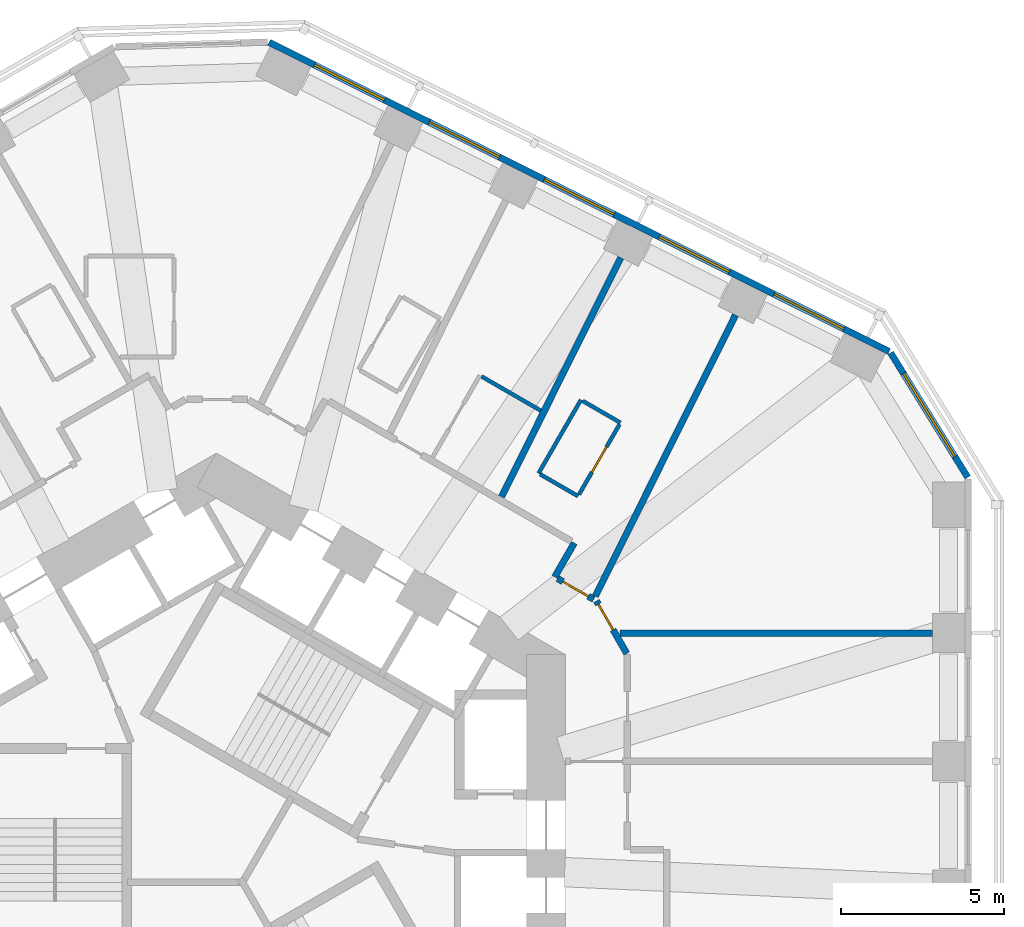
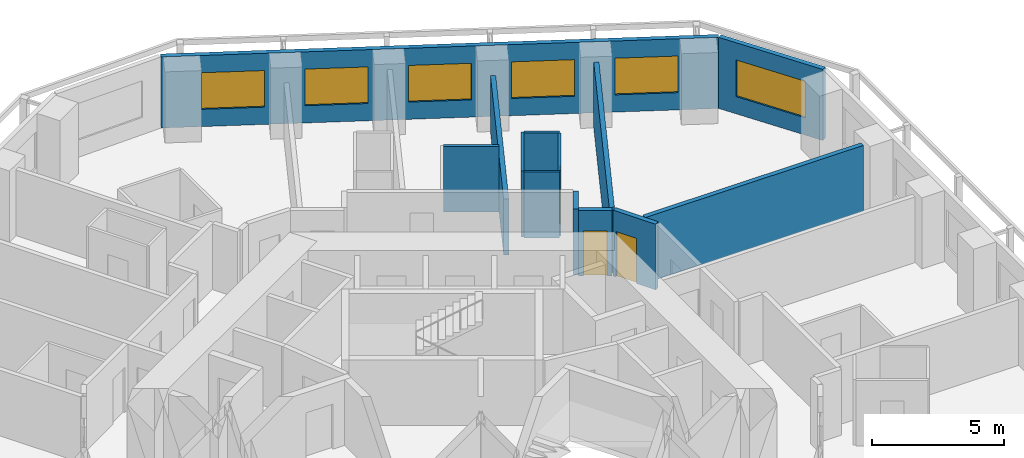
# One storey, part 9 of 12: 13 walls, 6 windows, 3 doors, 9 openings.
"""IFC4 building model written with IfcOpenShell, lengths in metres."""

import ifcopenshell
import ifcopenshell.guid

model = None  # the IFC model being written
_history = None  # IfcOwnerHistory: only IFC2X3 demands one
_inside = {}  # id of a spatial element -> (the spatial element, [elements in it])
_under = {}  # id of a project, library or spatial element -> (it, [spatial elements below it])
_declared = {}  # id of a project -> (the project, [libraries it declares])
_typed = {}  # id of a type object -> (the type object, [elements of that type])
_made_of = {}  # id of a material, layer set ... -> (it, [elements and type objects made of it])


def new_model(schema):
    """Start an empty IFC model of exactly this schema.

    Asked for "IFC4X3", IfcOpenShell would pick the latest addendum, in which some entities
    have other attributes; the version numbers below select the first issue.
    IFC2X3 requires an IfcOwnerHistory on every rooted entity: one is made here for all.
    """
    global model, _history
    if schema == "IFC4X3":
        model = ifcopenshell.file(schema_version=(4, 3, 0, 0))
    else:
        model = ifcopenshell.file(schema=schema)
    _inside.clear()
    _under.clear()
    _declared.clear()
    _typed.clear()
    _made_of.clear()
    _history = None
    if model.schema == "IFC2X3":
        org = make("IfcOrganization", Name="unknown")
        user = make(
            "IfcPersonAndOrganization",
            ThePerson=make("IfcPerson", FamilyName="unknown"),
            TheOrganization=org,
        )
        app = make(
            "IfcApplication",
            ApplicationDeveloper=org,
            Version="unknown",
            ApplicationFullName="unknown",
            ApplicationIdentifier="unknown",
        )
        _history = make(
            "IfcOwnerHistory",
            OwningUser=user,
            OwningApplication=app,
            ChangeAction="ADDED",
            CreationDate=0,
        )
    return model


def make(cls, **values):
    """One entity of the class cls with the attributes given. An attribute that is None is left unset."""
    return model.create_entity(
        cls, **{name: value for name, value in values.items() if value is not None}
    )


def rooted(cls, **values):
    """An entity with a GlobalId (a new one), such as an element, a storey or a relation."""
    return make(cls, GlobalId=ifcopenshell.guid.new(), OwnerHistory=_history, **values)


def si_unit(unit_type, name, prefix=None):
    """IfcSIUnit, for example si_unit("LENGTHUNIT", "METRE", prefix="MILLI")."""
    return make("IfcSIUnit", UnitType=unit_type, Prefix=prefix, Name=name)


def assignment(units):
    """IfcUnitAssignment: the units of a project."""
    return None if units is None else make("IfcUnitAssignment", Units=units)


def point(xyz):
    """IfcCartesianPoint."""
    return None if xyz is None else make("IfcCartesianPoint", Coordinates=xyz)


def direction(xyz):
    """IfcDirection."""
    return None if xyz is None else make("IfcDirection", DirectionRatios=xyz)


def frame(location, z_axis=None, x_axis=None):
    """IfcAxis2Placement3D, a coordinate frame: its origin and axes. An axis left out is left unset."""
    return make(
        "IfcAxis2Placement3D",
        Location=point(location),
        Axis=direction(z_axis),
        RefDirection=direction(x_axis),
    )


def frame_2d(location, x_axis=None):
    """IfcAxis2Placement2D, a coordinate frame in the plane: its origin and x axis."""
    return make(
        "IfcAxis2Placement2D", Location=point(location), RefDirection=direction(x_axis)
    )


def origin():
    """The frame at (0, 0, 0) with its axes left unset."""
    return frame((0.0, 0.0, 0.0))


def place(relative_to, where):
    """IfcLocalPlacement: puts the frame where relative to a parent placement (None: the world)."""
    return make(
        "IfcLocalPlacement", PlacementRelTo=relative_to, RelativePlacement=where
    )


def context(
    kind, dimensions, precision=None, world=None, true_north=None, identifier=None
):
    """IfcGeometricRepresentationContext, for example the 3D "Model" context."""
    return make(
        "IfcGeometricRepresentationContext",
        ContextIdentifier=identifier,
        ContextType=kind,
        CoordinateSpaceDimension=dimensions,
        Precision=precision,
        WorldCoordinateSystem=world,
        TrueNorth=true_north,
    )


def subcontext(parent, identifier, kind, view, scale=None):
    """IfcGeometricRepresentationSubContext, for example "Body" below "Model"."""
    return make(
        "IfcGeometricRepresentationSubContext",
        ContextIdentifier=identifier,
        ContextType=kind,
        ParentContext=parent,
        TargetScale=scale,
        TargetView=view,
    )


def project(units=None, contexts=None):
    """IfcProject with its units and contexts."""
    return rooted(
        "IfcProject",
        Name="project",
        RepresentationContexts=contexts,
        UnitsInContext=assignment(units),
    )


def spatial(cls, under=None, at=None, **own):
    """A site, building, storey or space (cls), placed at a placement, below another one or the project."""
    s = rooted(cls, ObjectPlacement=at, **own)
    if under is not None:
        _under.setdefault(under.id(), (under, []))[1].append(s)
    return s


def profile(cls, at=None, kind="AREA", **sizes):
    """A parametric profile (cls). Its sizes go by their IFC names, for example OverallWidth=200.0."""
    return make(cls, ProfileType=kind, Position=at, **sizes)


def rectangle(**sizes):
    """IfcRectangleProfileDef."""
    return profile("IfcRectangleProfileDef", **sizes)


def extrude(swept, where, along, depth):
    """IfcExtrudedAreaSolid: the profile swept, set in the frame where, extruded along a direction by depth."""
    return make(
        "IfcExtrudedAreaSolid",
        SweptArea=swept,
        Position=where,
        ExtrudedDirection=direction(along),
        Depth=depth,
    )


def shape(context_of_items, identifier, shape_type, items):
    """IfcShapeRepresentation: the items that make up one representation, for example the "Body"."""
    return make(
        "IfcShapeRepresentation",
        ContextOfItems=context_of_items,
        RepresentationIdentifier=identifier,
        RepresentationType=shape_type,
        Items=items,
    )


def material(Name=None, Category=None):
    """IfcMaterial."""
    return make("IfcMaterial", Name=Name, Category=Category)


def layer(
    of_material, thickness, ventilated=None, Name=None, Category=None, Priority=None
):
    """IfcMaterialLayer: one layer of a wall or slab, of a material (None: an air gap)."""
    return make(
        "IfcMaterialLayer",
        Material=of_material,
        LayerThickness=thickness,
        IsVentilated=ventilated,
        Name=Name,
        Category=Category,
        Priority=Priority,
    )


def layer_set(layers, Name=None):
    """IfcMaterialLayerSet."""
    return make("IfcMaterialLayerSet", MaterialLayers=layers, LayerSetName=Name)


def made_of(thing, what):
    """Note that an element or type object is made of a material, layer set ...; save() writes the relation."""
    if what is not None:
        _made_of.setdefault(what.id(), (what, []))[1].append(thing)
    return thing


def type_object(cls, material=None, **own):
    """A type object (cls), such as IfcWallType, which elements share."""
    return made_of(rooted(cls, **own), material)


def element(
    cls,
    number,
    at=None,
    inside=None,
    cuts=None,
    type_object=None,
    material=None,
    context=None,
    identifier="Body",
    shape_type=None,
    held_by="IfcProductDefinitionShape",
    body=None,
    shapes=None,
    **own,
):
    """One element of the class cls, such as IfcWall. Its Tag is "e" and its number.

    at: its placement. inside: the storey or other place that contains it. cuts: it is an
    opening in that element (IfcRelVoidsElement). A single representation is given by context,
    identifier, shape_type and body (its items); several are given by shapes. held_by: the class
    of the entity that holds the representations. save() writes the other relations.
    """
    e = rooted(cls, Tag="e%d" % number, ObjectPlacement=at, **own)
    if body is not None:
        shapes = [shape(context, identifier, shape_type, body)]
    if shapes is not None:
        e.Representation = make(held_by, Representations=shapes)
    if inside is not None:
        _inside.setdefault(inside.id(), (inside, []))[1].append(e)
    if cuts is not None:
        rooted(
            "IfcRelVoidsElement", RelatingBuildingElement=cuts, RelatedOpeningElement=e
        )
    if type_object is not None:
        _typed.setdefault(type_object.id(), (type_object, []))[1].append(e)
    return made_of(e, material)


def fill(opening, filler):
    """IfcRelFillsElement: the door or window that sits in an opening."""
    return rooted(
        "IfcRelFillsElement",
        RelatingOpeningElement=opening,
        RelatedBuildingElement=filler,
    )


def aggregate(whole, parts):
    """IfcRelAggregates: a whole, such as a stair, and the parts it consists of."""
    return rooted("IfcRelAggregates", RelatingObject=whole, RelatedObjects=parts)


def save(model, path):
    """Write the relations noted so far, then the file.

    IfcRelAggregates (storeys below a building ...), IfcRelContainedInSpatialStructure (elements
    in a storey), IfcRelDefinesByType, IfcRelAssociatesMaterial and IfcRelDeclares: one each for
    every whole, place, type object, material and project.
    """
    for whole, parts in _under.values():
        aggregate(whole, parts)
    for where, things in _inside.values():
        rooted(
            "IfcRelContainedInSpatialStructure",
            RelatedElements=things,
            RelatingStructure=where,
        )
    for kind, things in _typed.values():
        rooted("IfcRelDefinesByType", RelatedObjects=things, RelatingType=kind)
    for what, things in _made_of.values():
        rooted("IfcRelAssociatesMaterial", RelatedObjects=things, RelatingMaterial=what)
    for by, libraries in _declared.values():
        rooted("IfcRelDeclares", RelatingContext=by, RelatedDefinitions=libraries)
    model.write(path)


model = new_model("IFC4")

# Units and contexts
model_context = context("Model", 3, precision=1e-05, world=origin(), true_north=direction((0.0, 1.0)))
body_context = subcontext(model_context, "Body", "Model", "MODEL_VIEW")
ifc_project = project(units=[si_unit("LENGTHUNIT", "METRE"), si_unit("AREAUNIT", "SQUARE_METRE"), si_unit("VOLUMEUNIT", "CUBIC_METRE"), si_unit("PLANEANGLEUNIT", "RADIAN"), si_unit("MASSUNIT", "GRAM", prefix="KILO")], contexts=[model_context])

# Site, building, storey
site_placement = place(None, origin())
site = spatial("IfcSite", under=ifc_project, at=site_placement, CompositionType="ELEMENT")
building_placement = place(site_placement, origin())
building = spatial("IfcBuilding", under=site, at=building_placement, Name="Vanh Sen Convention Tower", CompositionType="ELEMENT")
storey_placement = place(building_placement, frame((0.0, 0.0, 63.800048828125)))
storey = spatial("IfcBuildingStorey", under=building, at=storey_placement, Name="L13", CompositionType="ELEMENT", Elevation=63.800048828125)

# Walls
ifc_material_1 = material(Name="Moisture-resistant gypsum board on steel studs", Category="steel")
ifc_layer_1 = layer(ifc_material_1, 0.1201171875)
ifc_layer_set_1 = layer_set([ifc_layer_1], Name="Moisture-resistant gypsum board on steel studs")
wall_type_1 = type_object("IfcWallType", Name="Bathroom partition 120", PredefinedType="PARTITIONING", material=ifc_layer_set_1)
wall_1_placement = place(storey_placement, frame((8.126708984375, 14.7080078125, 0.0), z_axis=(0.0, 0.0, 1.0), x_axis=(0.866065472234, -0.499930592986, 0.0)))
element("IfcWall", 1, at=wall_1_placement, inside=storey, type_object=wall_type_1, Name="Bathroom partition 120", PredefinedType="PARTITIONING", context=body_context, shape_type="SweptSolid", body=[
    extrude(rectangle(XDim=2.098388671875, YDim=0.1201171875, at=frame_2d((1.04931640625, 0.0))), origin(), (0.0, 0.0, 1.0), 3.050048828125),
])
wall_2_placement = place(storey_placement, frame((9.87451171875, 11.736083984375, 0.0), z_axis=(0.0, 0.0, 1.0), x_axis=(0.499936506574, 0.866062058628, 0.0)))
element("IfcWall", 2, at=wall_2_placement, inside=storey, type_object=wall_type_1, Name="Bathroom partition 120", PredefinedType="PARTITIONING", context=body_context, shape_type="SweptSolid", body=[
    extrude(rectangle(XDim=2.599853515625, YDim=0.1201171875, at=frame_2d((1.2998046875, 0.0))), origin(), (0.0, 0.0, 1.0), 3.050048828125),
])
for number, where, z_axis, x_axis, name in (
    (3, (11.0869140625, 11.0361328125, 0.0), (0.0, 0.0, 1.0), (-0.866036909293, 0.499980071345, 0.0), "Bathroom partition 120"),
    (4, (11.226318359375, 13.957763671875, 0.0), (0.0, 0.0, 1.0), (0.866036909293, -0.499980071345, 0.0), "Bathroom partition 120"),
):
    element("IfcWall", number, at=place(storey_placement, frame(where, z_axis=z_axis, x_axis=x_axis)), inside=storey, type_object=wall_type_1, Name=name, PredefinedType="PARTITIONING", context=body_context, shape_type="SweptSolid", body=[
        extrude(rectangle(XDim=1.33984375, YDim=0.1201171875, at=frame_2d((0.669921875, 0.0))), origin(), (0.0, 0.0, 1.0), 3.050048828125),
    ])

# Wall, opening, door
wall_3_placement = place(storey_placement, frame((12.356689453125, 13.23583984375, 0.0), z_axis=(0.0, 0.0, 1.0), x_axis=(-0.50000366821, -0.866023285932, 0.0)))
wall_3 = element("IfcWall", 5, at=wall_3_placement, inside=storey, type_object=wall_type_1, Name="Bathroom partition 120", PredefinedType="PARTITIONING", context=body_context, shape_type="SweptSolid", body=[
    extrude(rectangle(XDim=2.47998046875, YDim=0.1201171875, at=frame_2d((1.239990234375, 0.0))), origin(), (0.0, 0.0, 1.0), 3.050048828125),
])
opening_1_placement = place(wall_3_placement, frame((0.7900390625, 0.0, 0.0)))
opening_1 = element("IfcOpeningElement", 6, at=opening_1_placement, cuts=wall_3, Name="Opening D13106", PredefinedType="OPENING", context=body_context, shape_type="SweptSolid", body=[
    extrude(rectangle(XDim=0.89990234375, YDim=2.10009765625, at=frame_2d((0.449951171875, 1.050048828125))), frame((0.0, 0.070068359375, 0.0), z_axis=(0.0, -1.0, 0.0), x_axis=(1.0, 0.0, 0.0)), (0.0, 0.0, 1.0), 0.14013671875),
])
ifc_material_2 = material(Name="Laminate door in steel frame", Category="steel")
door_type_1 = type_object("IfcDoorType", Name="En-suite door 900", OperationType="SINGLE_SWING_LEFT", PredefinedType="DOOR", material=ifc_material_2)
door_1_placement = place(opening_1_placement, origin())
door_1 = element("IfcDoor", 7, at=door_1_placement, inside=storey, type_object=door_type_1, Name="En-suite door D13106", OperationType="SINGLE_SWING_LEFT", OverallHeight=2.10009765625, OverallWidth=0.89990234375, PredefinedType="DOOR", context=body_context, shape_type="SweptSolid", body=[
    extrude(rectangle(XDim=0.89990234375, YDim=2.10009765625, at=frame_2d((0.449951171875, 1.050048828125))), frame((0.0, 0.02490234375, 0.0), z_axis=(0.0, -1.0, 0.0), x_axis=(1.0, 0.0, 0.0)), (0.0, 0.0, 1.0), 0.050048828125),
])
fill(opening_1, door_1)

# Wall
ifc_material_3 = material(Name="Gypsum board on steel studs with mineral wool", Category="steel")
ifc_layer_2 = layer(ifc_material_3, 0.199951171875)
ifc_layer_set_2 = layer_set([ifc_layer_2], Name="Gypsum board on steel studs with mineral wool")
wall_type_2 = type_object("IfcWallType", Name="Corridor partition wall 200", PredefinedType="PARTITIONING", material=ifc_layer_set_2)
wall_4_placement = place(storey_placement, frame((10.37109375, 8.561279296875, 0.0), z_axis=(0.0, 0.0, 1.0), x_axis=(0.499986357472, 0.866033280158, 0.0)))
element("IfcWall", 8, at=wall_4_placement, inside=storey, type_object=wall_type_2, Name="Corridor partition wall 200", PredefinedType="PARTITIONING", context=body_context, shape_type="SweptSolid", body=[
    extrude(rectangle(XDim=1.201171875, YDim=0.199951171875, at=frame_2d((0.6005859375, 0.0))), origin(), (0.0, 0.0, 1.0), 3.050048828125),
])

# Wall, opening, door
wall_5_placement = place(storey_placement, frame((11.56640625, 7.871337890625, 0.0), z_axis=(0.0, 0.0, 1.0), x_axis=(-0.866004557827, 0.500036104519, 0.0)))
wall_5 = element("IfcWall", 9, at=wall_5_placement, inside=storey, type_object=wall_type_2, Name="Corridor partition wall 200", PredefinedType="PARTITIONING", context=body_context, shape_type="SweptSolid", body=[
    extrude(rectangle(XDim=1.2802734375, YDim=0.199951171875, at=frame_2d((0.64013671875, 0.0))), origin(), (0.0, 0.0, 1.0), 3.050048828125),
])
opening_2_placement = place(wall_5_placement, frame((0.190185546875, 0.0, 0.0)))
opening_2 = element("IfcOpeningElement", 10, at=opening_2_placement, cuts=wall_5, Name="Opening D13105", PredefinedType="OPENING", context=body_context, shape_type="SweptSolid", body=[
    extrude(rectangle(XDim=0.89990234375, YDim=2.10009765625, at=frame_2d((0.449951171875, 1.050048828125))), frame((0.0, 0.10986328125, 0.0), z_axis=(0.0, -1.0, 0.0), x_axis=(1.0, 0.0, 0.0)), (0.0, 0.0, 1.0), 0.219970703125),
])
ifc_material_4 = material(Name="Timber fire door in steel frame", Category="steel")
door_type_2 = type_object("IfcDoorType", Name="Guest room door 900", OperationType="SINGLE_SWING_LEFT", PredefinedType="DOOR", material=ifc_material_4)
door_2_placement = place(opening_2_placement, origin())
door_2 = element("IfcDoor", 11, at=door_2_placement, inside=storey, type_object=door_type_2, Name="Hotel guest room door D13105", OperationType="SINGLE_SWING_LEFT", OverallHeight=2.10009765625, OverallWidth=0.89990234375, PredefinedType="DOOR", context=body_context, shape_type="SweptSolid", body=[
    extrude(rectangle(XDim=0.89990234375, YDim=2.10009765625, at=frame_2d((0.449951171875, 1.050048828125))), frame((0.0, 0.02490234375, 0.0), z_axis=(0.0, -1.0, 0.0), x_axis=(1.0, 0.0, 0.0)), (0.0, 0.0, 1.0), 0.050048828125),
])
fill(opening_2, door_2)

wall_6_placement = place(storey_placement, frame((12.580078125, 6.212158203125, 0.0), z_axis=(0.0, 0.0, 1.0), x_axis=(-0.500063286585, 0.865988862174, 0.0)))
wall_6 = element("IfcWall", 12, at=wall_6_placement, inside=storey, type_object=wall_type_2, Name="Corridor partition wall 200", PredefinedType="PARTITIONING", context=body_context, shape_type="SweptSolid", body=[
    extrude(rectangle(XDim=1.860107421875, YDim=0.199951171875, at=frame_2d((0.93017578125, 0.0))), origin(), (0.0, 0.0, 1.0), 3.050048828125),
])
opening_3_placement = place(wall_6_placement, frame((0.841796875, 0.0, 0.0)))
opening_3 = element("IfcOpeningElement", 13, at=opening_3_placement, cuts=wall_6, Name="Opening D13104", PredefinedType="OPENING", context=body_context, shape_type="SweptSolid", body=[
    extrude(rectangle(XDim=0.89990234375, YDim=2.10009765625, at=frame_2d((0.449951171875, 1.050048828125))), frame((0.0, 0.10986328125, 0.0), z_axis=(0.0, -1.0, 0.0), x_axis=(1.0, 0.0, 0.0)), (0.0, 0.0, 1.0), 0.219970703125),
])
door_type_3 = type_object("IfcDoorType", Name="Floor room door 900", OperationType="SINGLE_SWING_LEFT", PredefinedType="DOOR", material=ifc_material_4)
door_3_placement = place(opening_3_placement, origin())
door_3 = element("IfcDoor", 14, at=door_3_placement, inside=storey, type_object=door_type_3, Name="Meeting and amenity room door D13104", OperationType="SINGLE_SWING_LEFT", OverallHeight=2.10009765625, OverallWidth=0.89990234375, PredefinedType="DOOR", context=body_context, shape_type="SweptSolid", body=[
    extrude(rectangle(XDim=0.89990234375, YDim=2.10009765625, at=frame_2d((0.449951171875, 1.050048828125))), frame((0.0, 0.02490234375, 0.0), z_axis=(0.0, -1.0, 0.0), x_axis=(1.0, 0.0, 0.0)), (0.0, 0.0, 1.0), 0.050048828125),
])
fill(opening_3, door_3)

# Wall, opening, window
ifc_material_5 = material(Name="Insulated lightweight infill wall")
ifc_layer_3 = layer(ifc_material_5, 0.199951171875)
ifc_layer_set_3 = layer_set([ifc_layer_3], Name="Insulated lightweight infill wall")
wall_type_3 = type_object("IfcWallType", Name="External wall 200", PredefinedType="STANDARD", material=ifc_layer_set_3)
wall_7_placement = place(storey_placement, frame((23.034912109375, 11.612060546875, 0.0), z_axis=(0.0, 0.0, 1.0), x_axis=(-0.526160091227, 0.850385535155, 0.0)))
wall_7 = element("IfcWall", 15, at=wall_7_placement, inside=storey, type_object=wall_type_3, Name="External wall CH1 L13", PredefinedType="STANDARD", context=body_context, shape_type="SweptSolid", body=[
    extrude(rectangle(XDim=4.493896484375, YDim=0.199951171875, at=frame_2d((2.2470703125, 0.0))), origin(), (0.0, 0.0, 1.0), 3.300048828125),
])
opening_4_placement = place(wall_7_placement, frame((0.746826171875, 0.0, 0.800048828125)))
opening_4 = element("IfcOpeningElement", 16, at=opening_4_placement, cuts=wall_7, Name="Opening WH2-CH11", PredefinedType="OPENING", context=body_context, shape_type="SweptSolid", body=[
    extrude(rectangle(XDim=3.0, YDim=1.699951171875, at=frame_2d((1.5, 0.85009765625))), frame((0.0, 0.10986328125, 0.0), z_axis=(0.0, -1.0, 0.0), x_axis=(1.0, 0.0, 0.0)), (0.0, 0.0, 1.0), 0.219970703125),
])
ifc_material_6 = material(Name="Aluminium frame with clear low-emissivity glass", Category="aluminium")
window_type_1 = type_object("IfcWindowType", Name="Hotel window 3000 x 1700", PartitioningType="SINGLE_PANEL", PredefinedType="WINDOW", material=ifc_material_6)
window_1_placement = place(opening_4_placement, origin())
window_1 = element("IfcWindow", 17, at=window_1_placement, inside=storey, type_object=window_type_1, Name="Window WH2-CH11", OverallHeight=1.699951171875, OverallWidth=3.0, PartitioningType="SINGLE_PANEL", PredefinedType="WINDOW", context=body_context, shape_type="SweptSolid", body=[
    extrude(rectangle(XDim=3.0, YDim=1.699951171875, at=frame_2d((1.5, 0.85009765625))), frame((0.0, 0.030029296875, 0.0), z_axis=(0.0, -1.0, 0.0), x_axis=(1.0, 0.0, 0.0)), (0.0, 0.0, 1.0), 0.06005859375),
])
fill(opening_4, window_1)

# Wall, openings, windows
wall_8_placement = place(storey_placement, frame((20.6298828125, 15.470458984375, 0.0), z_axis=(0.0, 0.0, 1.0), x_axis=(-0.894934518609, 0.446197498203, 0.0)))
wall_8 = element("IfcWall", 18, at=wall_8_placement, inside=storey, type_object=wall_type_3, Name="External wall NE L13", PredefinedType="STANDARD", context=body_context, shape_type="SweptSolid", body=[
    extrude(rectangle(XDim=21.24609375, YDim=0.199951171875, at=frame_2d((10.623046875, 0.0))), origin(), (0.0, 0.0, 1.0), 3.300048828125),
])
opening_5_placement = place(wall_8_placement, frame((1.552978515625, 0.0, 0.800048828125)))
opening_5 = element("IfcOpeningElement", 19, at=opening_5_placement, cuts=wall_8, Name="Opening WH1-NE1", PredefinedType="OPENING", context=body_context, shape_type="SweptSolid", body=[
    extrude(rectangle(XDim=2.39990234375, YDim=1.699951171875, at=frame_2d((1.199951171875, 0.85009765625))), frame((0.0, 0.10986328125, 0.0), z_axis=(0.0, -1.0, 0.0), x_axis=(1.0, 0.0, 0.0)), (0.0, 0.0, 1.0), 0.219970703125),
])
opening_6_placement = place(wall_8_placement, frame((5.48779296875, 0.0, 0.800048828125)))
opening_6 = element("IfcOpeningElement", 20, at=opening_6_placement, cuts=wall_8, Name="Opening WH1-NE2", PredefinedType="OPENING", context=body_context, shape_type="SweptSolid", body=[
    extrude(rectangle(XDim=2.39990234375, YDim=1.699951171875, at=frame_2d((1.199951171875, 0.85009765625))), frame((0.0, 0.10986328125, 0.0), z_axis=(0.0, -1.0, 0.0), x_axis=(1.0, 0.0, 0.0)), (0.0, 0.0, 1.0), 0.219970703125),
])
opening_7_placement = place(wall_8_placement, frame((9.42236328125, 0.0, 0.800048828125)))
opening_7 = element("IfcOpeningElement", 21, at=opening_7_placement, cuts=wall_8, Name="Opening WH1-NE3", PredefinedType="OPENING", context=body_context, shape_type="SweptSolid", body=[
    extrude(rectangle(XDim=2.39990234375, YDim=1.699951171875, at=frame_2d((1.199951171875, 0.85009765625))), frame((0.0, 0.10986328125, 0.0), z_axis=(0.0, -1.0, 0.0), x_axis=(1.0, 0.0, 0.0)), (0.0, 0.0, 1.0), 0.219970703125),
])
opening_8_placement = place(wall_8_placement, frame((13.35693359375, 0.0, 0.800048828125)))
opening_8 = element("IfcOpeningElement", 22, at=opening_8_placement, cuts=wall_8, Name="Opening WH1-NE4", PredefinedType="OPENING", context=body_context, shape_type="SweptSolid", body=[
    extrude(rectangle(XDim=2.39990234375, YDim=1.699951171875, at=frame_2d((1.199951171875, 0.85009765625))), frame((0.0, 0.10986328125, 0.0), z_axis=(0.0, -1.0, 0.0), x_axis=(1.0, 0.0, 0.0)), (0.0, 0.0, 1.0), 0.219970703125),
])
opening_9_placement = place(wall_8_placement, frame((17.29150390625, 0.0, 0.800048828125)))
opening_9 = element("IfcOpeningElement", 23, at=opening_9_placement, cuts=wall_8, Name="Opening WH1-NE5", PredefinedType="OPENING", context=body_context, shape_type="SweptSolid", body=[
    extrude(rectangle(XDim=2.39990234375, YDim=1.699951171875, at=frame_2d((1.199951171875, 0.85009765625))), frame((0.0, 0.10986328125, 0.0), z_axis=(0.0, -1.0, 0.0), x_axis=(1.0, 0.0, 0.0)), (0.0, 0.0, 1.0), 0.219970703125),
])
window_type_2 = type_object("IfcWindowType", Name="Hotel window 2400 x 1700", PartitioningType="SINGLE_PANEL", PredefinedType="WINDOW", material=ifc_material_6)
window_2_placement = place(opening_5_placement, origin())
window_2 = element("IfcWindow", 24, at=window_2_placement, inside=storey, type_object=window_type_2, Name="Window WH1-NE1", OverallHeight=1.699951171875, OverallWidth=2.39990234375, PartitioningType="SINGLE_PANEL", PredefinedType="WINDOW", context=body_context, shape_type="SweptSolid", body=[
    extrude(rectangle(XDim=2.39990234375, YDim=1.699951171875, at=frame_2d((1.199951171875, 0.85009765625))), frame((0.0, 0.030029296875, 0.0), z_axis=(0.0, -1.0, 0.0), x_axis=(1.0, 0.0, 0.0)), (0.0, 0.0, 1.0), 0.06005859375),
])
fill(opening_5, window_2)
window_3_placement = place(opening_6_placement, origin())
window_3 = element("IfcWindow", 25, at=window_3_placement, inside=storey, type_object=window_type_2, Name="Window WH1-NE2", OverallHeight=1.699951171875, OverallWidth=2.39990234375, PartitioningType="SINGLE_PANEL", PredefinedType="WINDOW", context=body_context, shape_type="SweptSolid", body=[
    extrude(rectangle(XDim=2.39990234375, YDim=1.699951171875, at=frame_2d((1.199951171875, 0.85009765625))), frame((0.0, 0.030029296875, 0.0), z_axis=(0.0, -1.0, 0.0), x_axis=(1.0, 0.0, 0.0)), (0.0, 0.0, 1.0), 0.06005859375),
])
fill(opening_6, window_3)
window_4_placement = place(opening_7_placement, origin())
window_4 = element("IfcWindow", 26, at=window_4_placement, inside=storey, type_object=window_type_2, Name="Window WH1-NE3", OverallHeight=1.699951171875, OverallWidth=2.39990234375, PartitioningType="SINGLE_PANEL", PredefinedType="WINDOW", context=body_context, shape_type="SweptSolid", body=[
    extrude(rectangle(XDim=2.39990234375, YDim=1.699951171875, at=frame_2d((1.199951171875, 0.85009765625))), frame((0.0, 0.030029296875, 0.0), z_axis=(0.0, -1.0, 0.0), x_axis=(1.0, 0.0, 0.0)), (0.0, 0.0, 1.0), 0.06005859375),
])
fill(opening_7, window_4)
window_5_placement = place(opening_8_placement, origin())
window_5 = element("IfcWindow", 27, at=window_5_placement, inside=storey, type_object=window_type_2, Name="Window WH1-NE4", OverallHeight=1.699951171875, OverallWidth=2.39990234375, PartitioningType="SINGLE_PANEL", PredefinedType="WINDOW", context=body_context, shape_type="SweptSolid", body=[
    extrude(rectangle(XDim=2.39990234375, YDim=1.699951171875, at=frame_2d((1.199951171875, 0.85009765625))), frame((0.0, 0.030029296875, 0.0), z_axis=(0.0, -1.0, 0.0), x_axis=(1.0, 0.0, 0.0)), (0.0, 0.0, 1.0), 0.06005859375),
])
fill(opening_8, window_5)
window_6_placement = place(opening_9_placement, origin())
window_6 = element("IfcWindow", 28, at=window_6_placement, inside=storey, type_object=window_type_2, Name="Window WH1-NE5", OverallHeight=1.699951171875, OverallWidth=2.39990234375, PartitioningType="SINGLE_PANEL", PredefinedType="WINDOW", context=body_context, shape_type="SweptSolid", body=[
    extrude(rectangle(XDim=2.39990234375, YDim=1.699951171875, at=frame_2d((1.199951171875, 0.85009765625))), frame((0.0, 0.030029296875, 0.0), z_axis=(0.0, -1.0, 0.0), x_axis=(1.0, 0.0, 0.0)), (0.0, 0.0, 1.0), 0.06005859375),
])
fill(opening_9, window_6)

# Walls
ifc_layer_4 = layer(ifc_material_3, 0.199951171875)
ifc_layer_set_4 = layer_set([ifc_layer_4], Name="Gypsum board on steel studs with mineral wool")
wall_type_4 = type_object("IfcWallType", Name="Hotel party wall 200", PredefinedType="PARTITIONING", material=ifc_layer_set_4)
wall_9_placement = place(storey_placement, frame((12.393310546875, 18.347900390625, 0.0), z_axis=(0.0, 0.0, 1.0), x_axis=(-0.446176022699, -0.894945225569, 0.0)))
element("IfcWall", 29, at=wall_9_placement, inside=storey, type_object=wall_type_4, Name="Hotel party wall 200", PredefinedType="PARTITIONING", context=body_context, shape_type="SweptSolid", body=[
    extrude(rectangle(XDim=8.19091796875, YDim=0.199951171875, at=frame_2d((4.095458984375, 0.0))), origin(), (0.0, 0.0, 1.0), 2.599853515625),
])
wall_10_placement = place(storey_placement, frame((15.91455078125, 16.59228515625, 0.0), z_axis=(0.0, 0.0, 1.0), x_axis=(-0.446199736347, -0.894933402709, 0.0)))
element("IfcWall", 30, at=wall_10_placement, inside=storey, type_object=wall_type_4, Name="Hotel party wall 200", PredefinedType="PARTITIONING", context=body_context, shape_type="SweptSolid", body=[
    extrude(rectangle(XDim=9.634765625, YDim=0.199951171875, at=frame_2d((4.8173828125, 0.0))), origin(), (0.0, 0.0, 1.0), 3.050048828125),
])
wall_11_placement = place(storey_placement, frame((21.949951171875, 6.839111328125, 0.0), z_axis=(0.0, 0.0, 1.0), x_axis=(-1.0, 0.0, 0.0)))
element("IfcWall", 31, at=wall_11_placement, inside=storey, type_object=wall_type_4, Name="Hotel party wall 200", PredefinedType="PARTITIONING", context=body_context, shape_type="SweptSolid", body=[
    extrude(rectangle(XDim=9.57177734375, YDim=0.199951171875, at=frame_2d((4.785888671875, 0.0))), origin(), (0.0, 0.0, 1.0), 3.050048828125),
])

save(model, "model.ifc")
